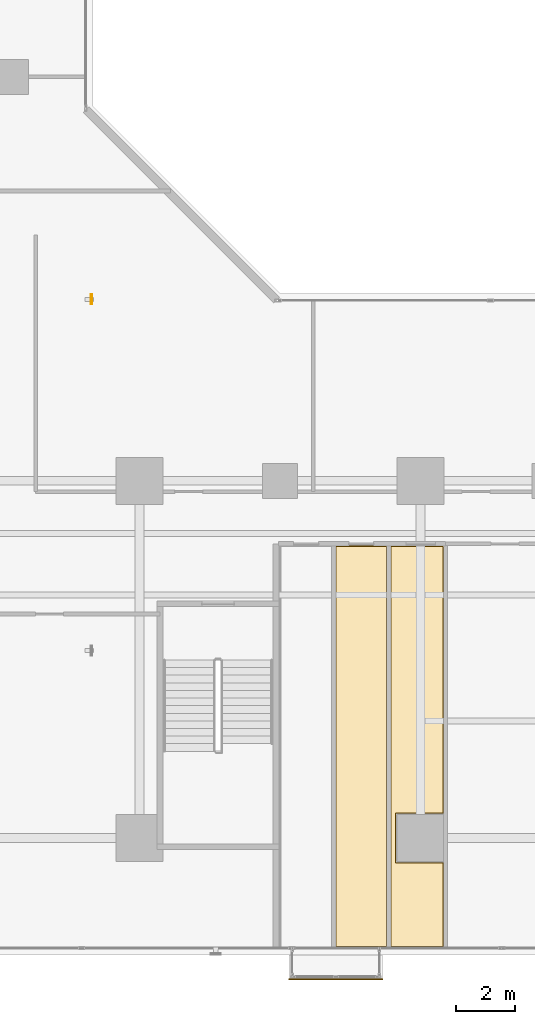
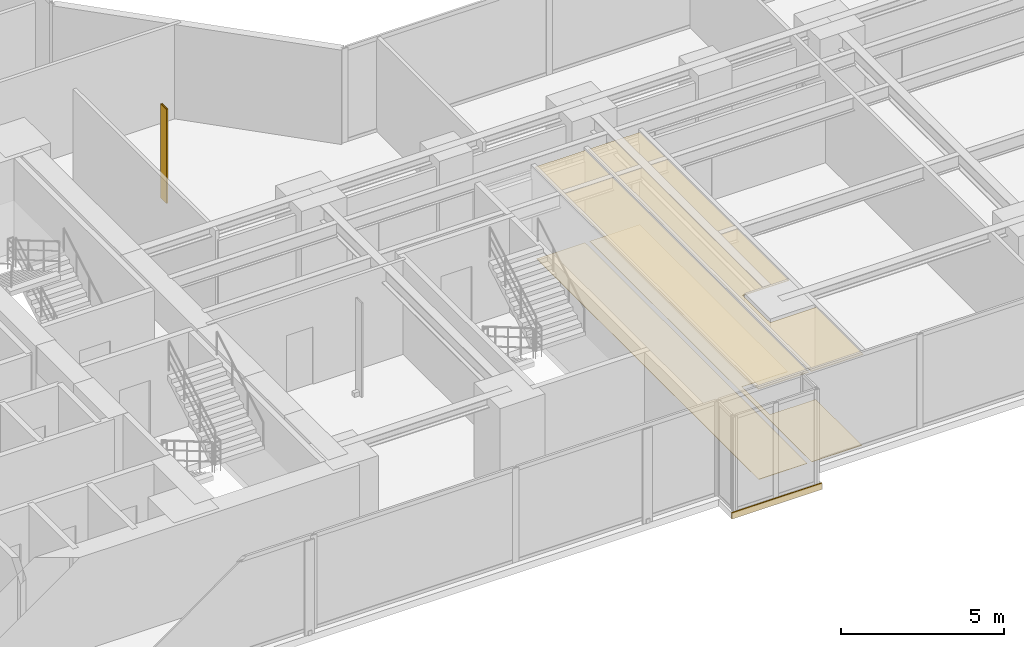
# One storey, part 28 of 29: 5 coverings, 1 shading device.
"""IFC4 building model written with IfcOpenShell, lengths in metres."""

from ifc_helpers import new_model, si_unit, direction, frame, origin, origin_2d, place, context, subcontext, project, spatial, polyline, rectangle, hollow_rectangle, outline, extrude, material, layer, layer_set, material_profile, profile_set, type_object, element, save


model = new_model("IFC4")

# Units and contexts
model_context = context("Model", 3, precision=1e-05, world=origin(), true_north=direction((0.0, 1.0)))
body_context = subcontext(model_context, "Body", "Model", "MODEL_VIEW")
ifc_project = project(units=[si_unit("LENGTHUNIT", "METRE"), si_unit("AREAUNIT", "SQUARE_METRE"), si_unit("VOLUMEUNIT", "CUBIC_METRE"), si_unit("PLANEANGLEUNIT", "RADIAN"), si_unit("MASSUNIT", "GRAM", prefix="KILO")], contexts=[model_context])

# Site, building, storey
site_placement = place(None, origin())
site = spatial("IfcSite", under=ifc_project, at=site_placement, CompositionType="ELEMENT")
building_placement = place(site_placement, origin())
building = spatial("IfcBuilding", under=site, at=building_placement, Name="Kolvaren Waterfront Exchange", CompositionType="ELEMENT")
storey_placement = place(building_placement, frame((0.0, 0.0, 37.199951171875)))
storey = spatial("IfcBuildingStorey", under=building, at=storey_placement, Name="L09", CompositionType="ELEMENT", Elevation=37.199951171875)

# Coverings
ifc_material_1 = material(Name="Mineral fibre acoustic ceiling tile")
ifc_layer_1 = layer(ifc_material_1, 0.02490234375, Name="Mineral fibre acoustic ceiling tile")
ifc_layer_set_1 = layer_set([ifc_layer_1], Name="Mineral fibre acoustic ceiling tile")
covering_type_1 = type_object("IfcCoveringType", Name="ARC-CEIL-ACOUSTIC-25", PredefinedType="CEILING", material=ifc_layer_set_1)
covering_1_placement = place(storey_placement, frame((0.0, 0.0, 3.425048828125)))
element("IfcCovering", 1, at=covering_1_placement, inside=storey, type_object=covering_type_1, Name="L09 acoustic suspended ceiling 2", PredefinedType="CEILING", context=body_context, shape_type="SweptSolid", body=[
    extrude(outline(polyline([(35.6650390625, 1.465087890625), (35.6650390625, 15.195068359375), (33.875, 15.195068359375), (33.875, 1.465087890625), (35.6650390625, 1.465087890625)])), origin(), (0.0, 0.0, 1.0), 0.02490234375),
])
covering_2_placement = place(storey_placement, frame((0.0, 0.0, 3.425048828125)))
element("IfcCovering", 2, at=covering_2_placement, inside=storey, type_object=covering_type_1, Name="L09 acoustic suspended ceiling 3", PredefinedType="CEILING", context=body_context, shape_type="SweptSolid", body=[
    extrude(outline(polyline([(37.60498046875, 4.360107421875), (35.9599609375, 4.360107421875), (35.9599609375, 6.0400390625), (37.60498046875, 6.0400390625), (37.60498046875, 15.195068359375), (35.7548828125, 15.195068359375), (35.7548828125, 1.465087890625), (37.60498046875, 1.465087890625), (37.60498046875, 4.360107421875)])), origin(), (0.0, 0.0, 1.0), 0.02490234375),
])
ifc_material_2 = material(Name="Anodised bronze fascia aluminium", Category="aluminium")
ifc_layer_2 = layer(ifc_material_2, 0.034912109375, Name="Anodised bronze fascia aluminium")
ifc_layer_set_2 = layer_set([ifc_layer_2], Name="Anodised bronze fascia aluminium")
covering_type_2 = type_object("IfcCoveringType", Name="ARC-CLAD-BRONZE-35", PredefinedType="CLADDING", material=ifc_layer_set_2)
covering_3_placement = place(storey_placement, frame((33.89990234375, 0.3701171875, -0.2197265625), z_axis=(0.0, 0.0, 1.0), x_axis=(1.0, 0.0, 0.0)))
element("IfcCovering", 3, at=covering_3_placement, inside=storey, type_object=covering_type_2, Name="L09 ribbed anodised bronze bay-box fascia", PredefinedType="CLADDING", context=body_context, shape_type="SweptSolid", body=[
    extrude(rectangle(XDim=3.199951171875, YDim=0.034912109375, at=origin_2d()), origin(), (0.0, 0.0, 1.0), 0.239990234375),
])

# Shading device
ifc_material_3 = material(Name="Anodised bronze aluminium 6063-T6", Category="aluminium")
ifc_material_profile = material_profile(ifc_material_3, hollow_rectangle(XDim=0.06005859375, YDim=0.35009765625, WallThickness=0.0048828125, at=origin_2d()), Name="BRZ-FIN-350x60x5")
ifc_profile_set = profile_set([ifc_material_profile], Name="Anodised bronze aluminium 6063-T6")
shading_device_type = type_object("IfcShadingDeviceType", Name="ARC-FIN-350", PredefinedType="USERDEFINED", material=ifc_profile_set)
shading_device_placement = place(storey_placement, frame((25.56005859375, 23.60009765625, 0.0), z_axis=(0.0, 0.0, 1.0), x_axis=(1.0, 0.0, 0.0)))
element("IfcShadingDevice", 4, at=shading_device_placement, inside=storey, type_object=shading_device_type, Name="L09 anodised bronze solar shading fin FIN-L09-E2", ObjectType="SOLAR FIN", PredefinedType="USERDEFINED", context=body_context, shape_type="SweptSolid", body=[
    extrude(hollow_rectangle(XDim=0.06005859375, YDim=0.35009765625, WallThickness=0.0048828125, at=origin_2d()), origin(), (0.0, 0.0, 1.0), 3.5400390625),
])

# Coverings
ifc_material_4 = material(Name="Slip-resistant porcelain tile")
ifc_layer_3 = layer(ifc_material_4, 0.014892578125, Name="Slip-resistant porcelain tile")
ifc_layer_set_3 = layer_set([ifc_layer_3], Name="Slip-resistant porcelain tile")
covering_type_3 = type_object("IfcCoveringType", Name="ARC-FLR-PORC-15", PredefinedType="FLOORING", material=ifc_layer_set_3)
covering_4_placement = place(storey_placement, origin())
element("IfcCovering", 5, at=covering_4_placement, inside=storey, type_object=covering_type_3, Name="L09 floor finish 2", PredefinedType="FLOORING", context=body_context, shape_type="SweptSolid", body=[
    extrude(outline(polyline([(33.909912109375, 15.159912109375), (33.909912109375, 1.5), (35.6298828125, 1.5), (35.6298828125, 15.159912109375), (33.909912109375, 15.159912109375)])), origin(), (0.0, 0.0, 1.0), 0.01513671875),
])
covering_5_placement = place(storey_placement, origin())
element("IfcCovering", 6, at=covering_5_placement, inside=storey, type_object=covering_type_3, Name="L09 floor finish 3", PredefinedType="FLOORING", context=body_context, shape_type="SweptSolid", body=[
    extrude(outline(polyline([(35.7900390625, 15.159912109375), (35.7900390625, 1.5), (37.570068359375, 1.5), (37.570068359375, 4.340087890625), (35.93994140625, 4.340087890625), (35.93994140625, 6.06005859375), (37.570068359375, 6.06005859375), (37.570068359375, 15.159912109375), (35.7900390625, 15.159912109375)])), origin(), (0.0, 0.0, 1.0), 0.01513671875),
])

save(model, "model.ifc")
